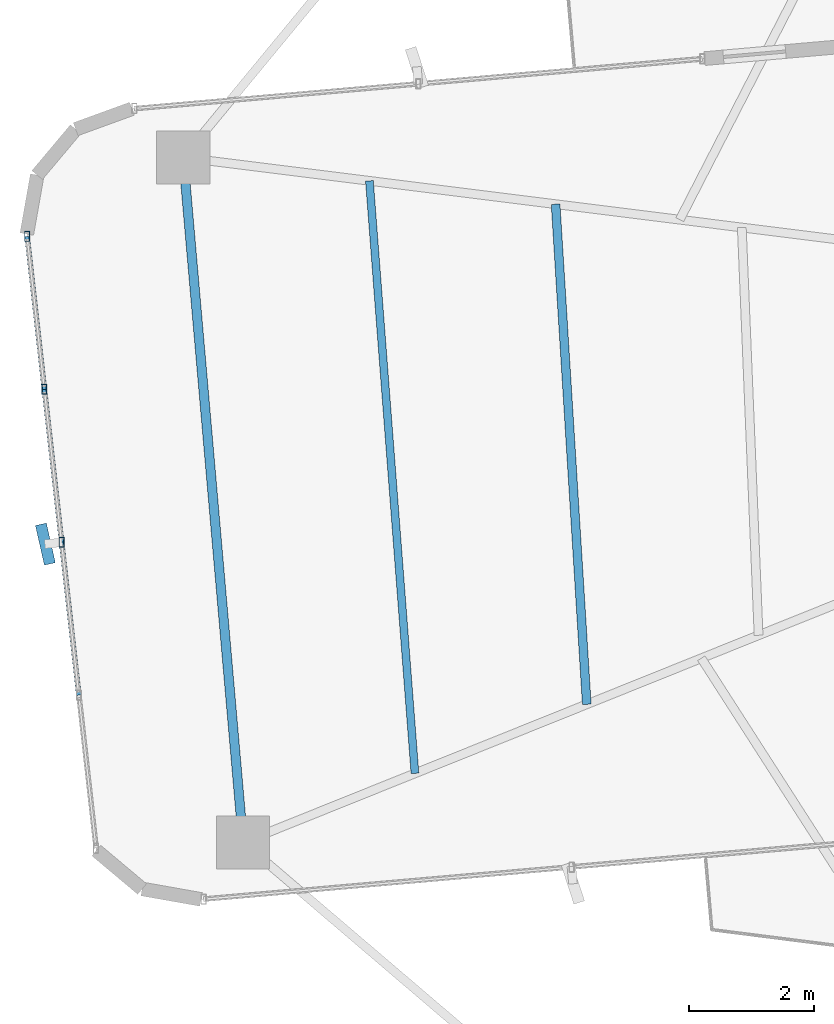
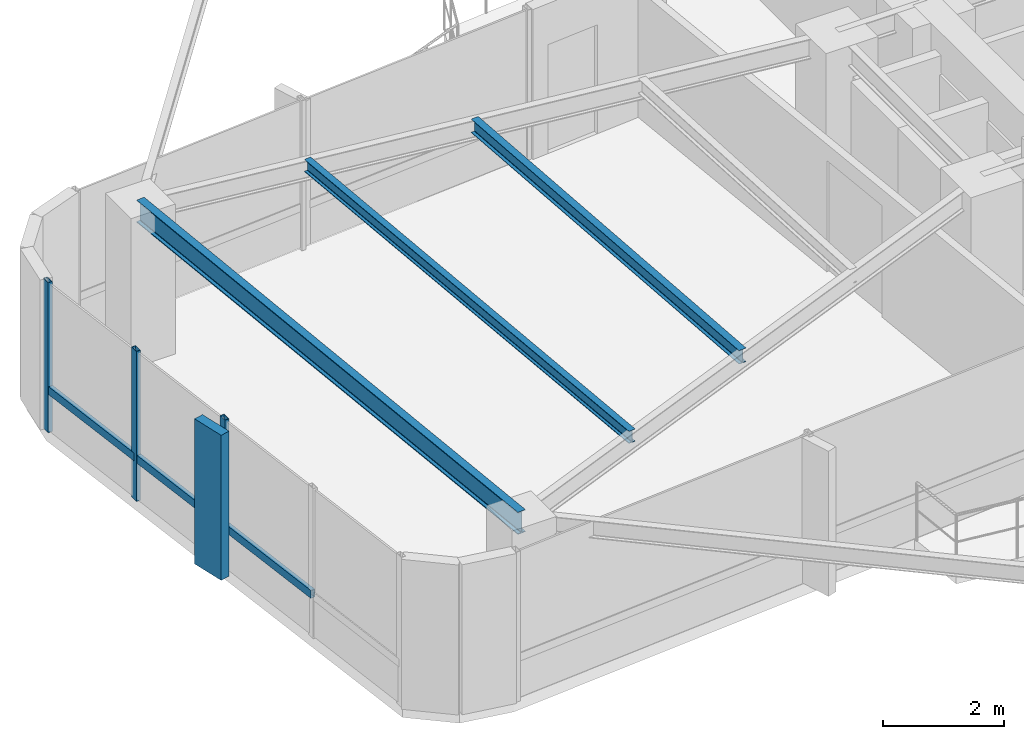
# One storey, part 8 of 24: 7 members, 3 beams, 1 element without a shape of its own.
"""IFC4 building model written with IfcOpenShell, lengths in metres."""

from ifc_helpers import new_model, si_unit, direction, frame, origin, origin_2d, place, context, subcontext, project, spatial, rectangle, hollow_rectangle, i_section, extrude, source, transform, mapped, material, material_profile, profile_set, type_object, element, aggregate, save


model = new_model("IFC4")

# Units and contexts
model_context = context("Model", 3, precision=1e-05, world=origin(), true_north=direction((0.0, 1.0)))
body_context = subcontext(model_context, "Body", "Model", "MODEL_VIEW")
ifc_project = project(units=[si_unit("LENGTHUNIT", "METRE"), si_unit("AREAUNIT", "SQUARE_METRE"), si_unit("VOLUMEUNIT", "CUBIC_METRE"), si_unit("PLANEANGLEUNIT", "RADIAN"), si_unit("MASSUNIT", "GRAM", prefix="KILO")], contexts=[model_context])

# Site, building, storey
site_placement = place(None, origin())
site = spatial("IfcSite", under=ifc_project, at=site_placement, CompositionType="ELEMENT")
building_placement = place(site_placement, origin())
building = spatial("IfcBuilding", under=site, at=building_placement, Name="Sahyath Konkavel Grand Hotel", CompositionType="ELEMENT")
storey_placement = place(building_placement, frame((0.0, 0.0, 198.64990234375)))
storey = spatial("IfcBuildingStorey", under=building, at=storey_placement, Name="L55", CompositionType="ELEMENT", Elevation=198.64990234375)

# Beams
ifc_material_1 = material(Name="Steel E350", Category="steel")
ifc_material_profile_1 = material_profile(ifc_material_1, i_section(OverallWidth=0.14990234375, OverallDepth=0.449951171875, WebThickness=0.009521484375, FlangeThickness=0.017333984375, FilletRadius=0.014892578125, at=origin_2d()), Name="ISMB 450")
ifc_profile_set_1 = profile_set([ifc_material_profile_1], Name="Steel E350")
beam_type_1 = type_object("IfcBeamType", Name="BM-ISMB450", PredefinedType="BEAM", material=ifc_profile_set_1)
shared_shape_1 = source(origin(), body_context, "Body", "SweptSolid", [
    extrude(i_section(OverallWidth=0.14990234375, OverallDepth=0.449951171875, WebThickness=0.009521484375, FlangeThickness=0.017333984375, FilletRadius=0.014892578125, at=origin_2d()), origin(), (0.0, 0.0, 1.0), 11.0),
])
beam_1_placement = place(storey_placement, frame((-17.912841796875, 3.953857421875, 2.80517578125), z_axis=(0.087157314015, -0.996194560622, 0.0), x_axis=(0.996194560622, 0.087157314015, 0.0)))
element("IfcBeam", 1, at=beam_1_placement, inside=storey, type_object=beam_type_1, Name="L55 Wing Tip Edge Beam W", PredefinedType="BEAM", context=body_context, shape_type="MappedRepresentation", body=[
    mapped(shared_shape_1, transform((0.0, 0.0, 0.0), scale=1.0)),
])
ifc_material_profile_2 = material_profile(ifc_material_1, i_section(OverallWidth=0.139892578125, OverallDepth=0.27490234375, WebThickness=0.00634765625, FlangeThickness=0.0087890625, FilletRadius=0.012939453125, at=origin_2d()), Name="ISLB 275")
ifc_profile_set_2 = profile_set([ifc_material_profile_2], Name="Steel E350")
beam_type_2 = type_object("IfcBeamType", Name="BM-ISLB275", PredefinedType="BEAM", material=ifc_profile_set_2)
shared_shape_2 = source(origin(), body_context, "Body", "SweptSolid", [
    extrude(i_section(OverallWidth=0.139892578125, OverallDepth=0.27490234375, WebThickness=0.00634765625, FlangeThickness=0.0087890625, FilletRadius=0.012939453125, at=origin_2d()), origin(), (0.0, 0.0, 1.0), 8.017822265625),
])
beam_2_placement = place(storey_placement, frame((-11.95458984375, 3.2080078125, 2.892578125), z_axis=(0.062179233264, -0.998064999362, 0.0), x_axis=(0.998064999362, 0.062179233264, 0.0)))
element("IfcBeam", 2, at=beam_2_placement, inside=storey, type_object=beam_type_2, Name="L55 Secondary Floor Beam W-2", PredefinedType="BEAM", context=body_context, shape_type="MappedRepresentation", body=[
    mapped(shared_shape_2, transform((0.0, 0.0, 0.0), scale=1.0)),
])
ifc_material_profile_3 = material_profile(ifc_material_1, i_section(OverallWidth=0.125, OverallDepth=0.25, WebThickness=0.0068359375, FlangeThickness=0.012451171875, FilletRadius=0.012939453125, at=origin_2d()), Name="ISMB 250")
ifc_profile_set_3 = profile_set([ifc_material_profile_3], Name="Steel E350")
beam_type_3 = type_object("IfcBeamType", Name="BM-ISMB250", PredefinedType="BEAM", material=ifc_profile_set_3)
shared_shape_3 = source(origin(), body_context, "Body", "SweptSolid", [
    extrude(i_section(OverallWidth=0.125, OverallDepth=0.25, WebThickness=0.0068359375, FlangeThickness=0.012451171875, FilletRadius=0.012939453125, at=origin_2d()), origin(), (0.0, 0.0, 1.0), 9.508056640625),
])
beam_3_placement = place(storey_placement, frame((-14.93359375, 3.580810546875, 2.905029296875), z_axis=(0.076619921029, -0.997060373148, 0.0), x_axis=(0.997060373148, 0.076619921029, 0.0)))
element("IfcBeam", 3, at=beam_3_placement, inside=storey, type_object=beam_type_3, Name="L55 Secondary Floor Beam W-3", PredefinedType="BEAM", context=body_context, shape_type="MappedRepresentation", body=[
    mapped(shared_shape_3, transform((0.0, 0.0, 0.0), scale=1.0)),
])

# Curtain wall, members
ifc_material_2 = material(Name="Anodised Bronze Aluminium & Low-E Glazing", Category="aluminium")
curtain_wall_type = type_object("IfcCurtainWallType", Name="CW-ZONE3", PredefinedType="NOTDEFINED", material=ifc_material_2)
curtain_wall_placement = place(storey_placement, origin())
curtain_wall = element("IfcCurtainWall", 4, at=curtain_wall_placement, inside=storey, type_object=curtain_wall_type, Name="L55 Unitised Curtain Wall F20", PredefinedType="NOTDEFINED")
ifc_material_3 = material(Name="Anodised Bronze Aluminium", Category="aluminium")
ifc_material_profile_4 = material_profile(ifc_material_3, hollow_rectangle(XDim=0.080078125, YDim=0.159912109375, WallThickness=0.006103515625, at=origin_2d()), Name="RHS 160x80x6")
ifc_profile_set_4 = profile_set([ifc_material_profile_4], Name="Anodised Bronze Aluminium")
member_type_1 = type_object("IfcMemberType", Name="CW-MUL-160", PredefinedType="MULLION", material=ifc_profile_set_4)
shared_shape_4 = source(origin(), body_context, "Body", "SweptSolid", [
    extrude(hollow_rectangle(XDim=0.080078125, YDim=0.159912109375, WallThickness=0.006103515625, at=origin_2d()), origin(), (0.0, 0.0, 1.0), 3.030029296875),
])
member_1_placement = place(storey_placement, frame((-20.4111328125, 2.69140625, 0.0), z_axis=(0.0, 0.0, 1.0), x_axis=(1.0, 0.0, 0.0)))
member_1 = element("IfcMember", 5, at=member_1_placement, type_object=member_type_1, Name="L55 Curtain Wall Mullion F20-0", PredefinedType="MULLION", context=body_context, shape_type="MappedRepresentation", body=[
    mapped(shared_shape_4, transform((0.0, 0.0, 0.0), scale=1.0)),
])
member_2_placement = place(storey_placement, frame((-20.135498046875, 0.24462890625, 0.0), z_axis=(0.0, 0.0, 1.0), x_axis=(1.0, 0.0, 0.0)))
member_2 = element("IfcMember", 6, at=member_2_placement, type_object=member_type_1, Name="L55 Curtain Wall Mullion F20-1", PredefinedType="MULLION", context=body_context, shape_type="MappedRepresentation", body=[
    mapped(shared_shape_4, transform((0.0, 0.0, 0.0), scale=1.0)),
])
member_3_placement = place(storey_placement, frame((-19.859619140625, -2.201904296875, 0.0), z_axis=(0.0, 0.0, 1.0), x_axis=(1.0, 0.0, 0.0)))
member_3 = element("IfcMember", 7, at=member_3_placement, type_object=member_type_1, Name="L55 Curtain Wall Mullion F20-2", PredefinedType="MULLION", context=body_context, shape_type="MappedRepresentation", body=[
    mapped(shared_shape_4, transform((0.0, 0.0, 0.0), scale=1.0)),
])
ifc_material_4 = material(Name="Warm Buff Sandstone Cladding on Concrete C50/60", Category="masonry")
ifc_material_profile_5 = material_profile(ifc_material_4, rectangle(XDim=0.179931640625, YDim=0.64990234375, at=origin_2d()), Name="FIN 180x650")
ifc_profile_set_5 = profile_set([ifc_material_profile_5], Name="Warm Buff Sandstone Cladding on Concrete C50/60")
member_type_2 = type_object("IfcMemberType", Name="FIN-SANDSTONE-650", PredefinedType="MULLION", material=ifc_profile_set_5)
shared_shape_5 = source(origin(), body_context, "Body", "SweptSolid", [
    extrude(rectangle(XDim=0.179931640625, YDim=0.64990234375, at=origin_2d()), origin(), (0.0, 0.0, 1.0), 2.929931640625),
])
member_4_placement = place(storey_placement, frame((-20.1181640625, -2.23095703125, 0.050048828125), z_axis=(0.0, 0.0, 1.0), x_axis=(0.975419299024, 0.220356962886, 0.0)))
member_4 = element("IfcMember", 8, at=member_4_placement, type_object=member_type_2, Name="L55 Sandstone Vertical Solar Fin FIN F20-2", PredefinedType="MULLION", context=body_context, shape_type="MappedRepresentation", body=[
    mapped(shared_shape_5, transform((0.0, 0.0, 0.0), scale=1.0)),
])
ifc_material_profile_6 = material_profile(ifc_material_3, hollow_rectangle(XDim=0.080078125, YDim=0.159912109375, WallThickness=0.006103515625, at=origin_2d()), Name="RHS 160x80x6")
ifc_profile_set_6 = profile_set([ifc_material_profile_6], Name="Anodised Bronze Aluminium")
member_type_3 = type_object("IfcMemberType", Name="CW-TRN-160", PredefinedType="USERDEFINED", material=ifc_profile_set_6)
shared_shape_6 = source(origin(), body_context, "Body", "SweptSolid", [
    extrude(hollow_rectangle(XDim=0.080078125, YDim=0.159912109375, WallThickness=0.006103515625, at=origin_2d()), origin(), (0.0, 0.0, 1.0), 2.462158203125),
])
member_5_placement = place(storey_placement, frame((-20.4111328125, 2.69140625, 0.85009765625), z_axis=(0.11194409079, -0.993714506555, 0.0), x_axis=(0.993714506555, 0.11194409079, 0.0)))
member_5 = element("IfcMember", 9, at=member_5_placement, type_object=member_type_3, Name="L55 Curtain Wall Transom F20-0-spandrel", ObjectType="TRANSOM", PredefinedType="USERDEFINED", context=body_context, shape_type="MappedRepresentation", body=[
    mapped(shared_shape_6, transform((0.0, 0.0, 0.0), scale=1.0)),
])
member_6_placement = place(storey_placement, frame((-20.135498046875, 0.24462890625, 0.85009765625), z_axis=(0.112053040279, -0.99370222711, 0.0), x_axis=(0.99370222711, 0.112053040279, 0.0)))
member_6 = element("IfcMember", 10, at=member_6_placement, type_object=member_type_3, Name="L55 Curtain Wall Transom F20-1-spandrel", ObjectType="TRANSOM", PredefinedType="USERDEFINED", context=body_context, shape_type="MappedRepresentation", body=[
    mapped(shared_shape_6, transform((0.0, 0.0, 0.0), scale=1.0)),
])
shared_shape_7 = source(origin(), body_context, "Body", "SweptSolid", [
    extrude(hollow_rectangle(XDim=0.080078125, YDim=0.159912109375, WallThickness=0.006103515625, at=origin_2d()), origin(), (0.0, 0.0, 1.0), 2.461669921875),
])
member_7_placement = place(storey_placement, frame((-19.859619140625, -2.201904296875, 0.85009765625), z_axis=(0.111966154832, -0.993712020744, 0.0), x_axis=(0.993712020744, 0.111966154832, 0.0)))
member_7 = element("IfcMember", 11, at=member_7_placement, type_object=member_type_3, Name="L55 Curtain Wall Transom F20-2-spandrel", ObjectType="TRANSOM", PredefinedType="USERDEFINED", context=body_context, shape_type="MappedRepresentation", body=[
    mapped(shared_shape_7, transform((0.0, 0.0, 0.0), scale=1.0)),
])
aggregate(curtain_wall, [member_1, member_2, member_3, member_4, member_5, member_6, member_7])

save(model, "model.ifc")
